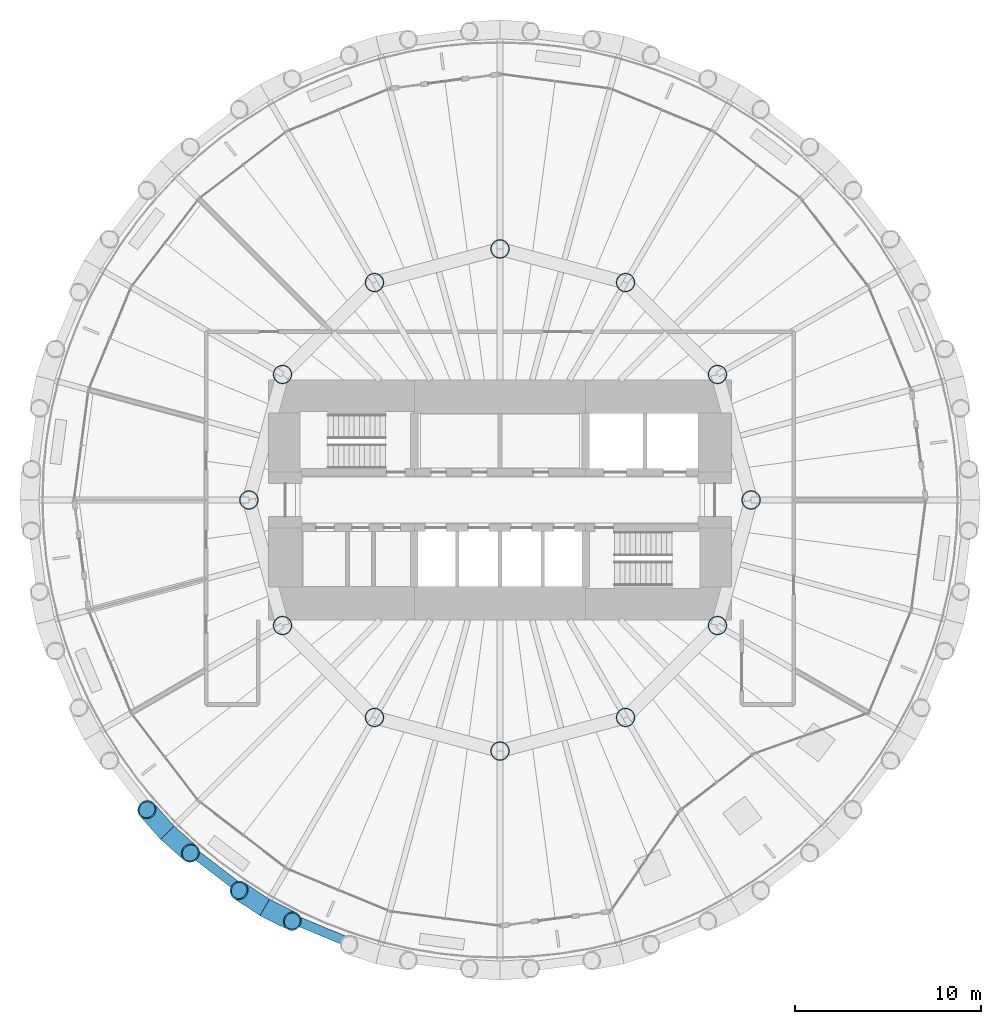
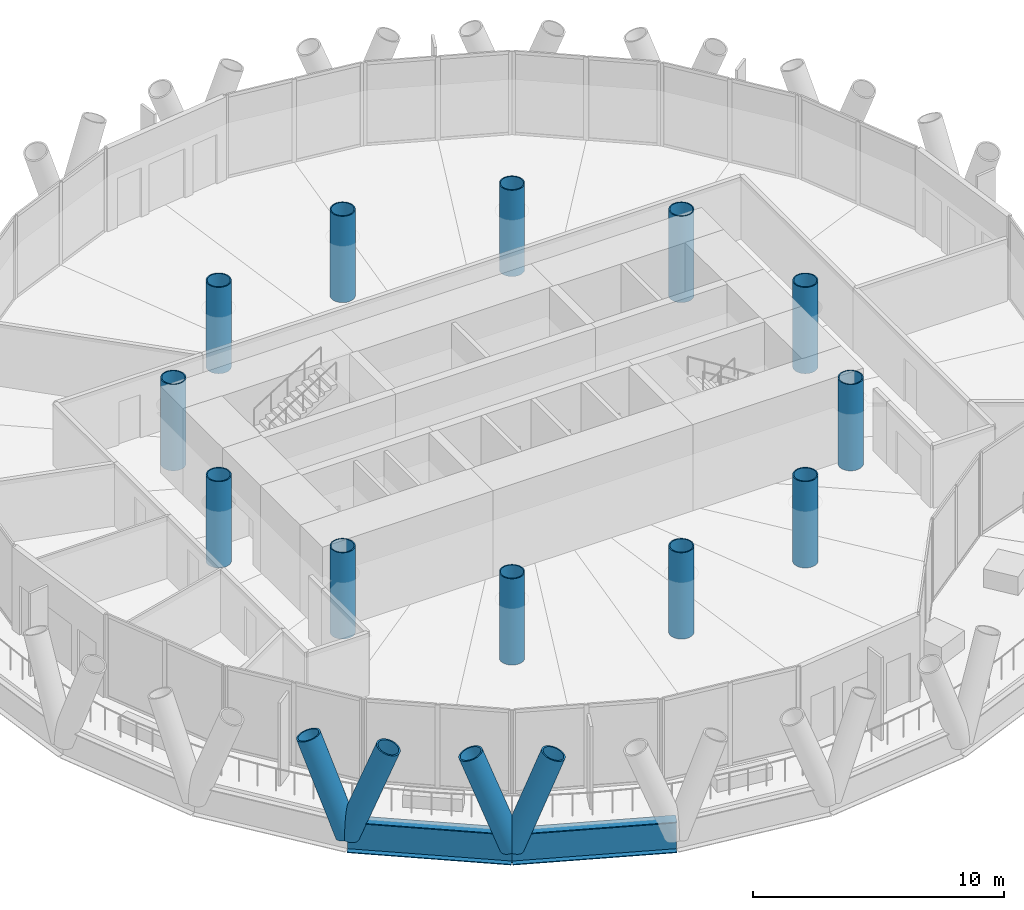
# One storey, part 1 of 15: 12 columns, 4 members, 2 beams.
"""IFC4 building model written with IfcOpenShell, lengths in metres."""

from ifc_helpers import new_model, si_unit, direction, frame, origin, origin_2d, place, context, subcontext, project, spatial, hollow_circle, i_section, extrude, material, material_profile, profile_set, type_object, element, save


model = new_model("IFC4")

# Units and contexts
model_context = context("Model", 3, precision=1e-05, world=origin(), true_north=direction((0.0, 1.0)))
body_context = subcontext(model_context, "Body", "Model", "MODEL_VIEW")
ifc_project = project(units=[si_unit("LENGTHUNIT", "METRE"), si_unit("AREAUNIT", "SQUARE_METRE"), si_unit("VOLUMEUNIT", "CUBIC_METRE"), si_unit("PLANEANGLEUNIT", "RADIAN"), si_unit("MASSUNIT", "GRAM", prefix="KILO")], contexts=[model_context])

# Site, building, storey
site_placement = place(None, origin())
site = spatial("IfcSite", under=ifc_project, at=site_placement, CompositionType="ELEMENT")
building_placement = place(site_placement, origin())
building = spatial("IfcBuilding", under=site, at=building_placement, Name="Qaws Media Tower", CompositionType="ELEMENT")
storey_placement = place(building_placement, frame((0.0, 0.0, 110.0)))
storey = spatial("IfcBuildingStorey", under=building, at=storey_placement, Name="L24", CompositionType="ELEMENT", Elevation=110.0)

# Columns
ifc_material_1 = material(Name="Steel S460", Category="steel")
ifc_material_profile_1 = material_profile(ifc_material_1, hollow_circle(Radius=0.508056640625, WallThickness=0.050048828125, at=origin_2d()), Name="CHS 1016x50")
ifc_profile_set_1 = profile_set([ifc_material_profile_1], Name="Steel S460")
column_type = type_object("IfcColumnType", Name="Inner column CHS 1016x50", PredefinedType="COLUMN", material=ifc_profile_set_1)
for number, where, z_axis, x_axis, name in (
    (1, (73.5, 50.0, 0.0), (0.0, 0.0, 1.0), (1.0, 0.0, 0.0), "C2 inner column I01 L24"),
    (2, (71.69140625, 56.75, 0.0), (0.0, 0.0, 1.0), (1.0, 0.0, 0.0), "C2 inner column I02 L24"),
    (3, (66.75, 61.69140625, 0.0), (0.0, 0.0, 1.0), (1.0, 0.0, 0.0), "C2 inner column I03 L24"),
    (4, (60.0, 63.5, 0.0), (0.0, 0.0, 1.0), (1.0, 0.0, 0.0), "C2 inner column I04 L24"),
    (5, (53.25, 61.69140625, 0.0), (0.0, 0.0, 1.0), (1.0, 0.0, 0.0), "C2 inner column I05 L24"),
    (6, (48.30859375, 56.75, 0.0), (0.0, 0.0, 1.0), (1.0, 0.0, 0.0), "C2 inner column I06 L24"),
    (7, (46.5, 50.0, 0.0), (0.0, 0.0, 1.0), (1.0, 0.0, 0.0), "C2 inner column I07 L24"),
    (8, (48.30859375, 43.25, 0.0), (0.0, 0.0, 1.0), (1.0, 0.0, 0.0), "C2 inner column I08 L24"),
    (9, (53.25, 38.30859375, 0.0), (0.0, 0.0, 1.0), (1.0, 0.0, 0.0), "C2 inner column I09 L24"),
    (10, (60.0, 36.5, 0.0), (0.0, 0.0, 1.0), (1.0, 0.0, 0.0), "C2 inner column I10 L24"),
    (11, (66.75, 38.30859375, 0.0), (0.0, 0.0, 1.0), (1.0, 0.0, 0.0), "C2 inner column I11 L24"),
    (12, (71.69140625, 43.25, 0.0), (0.0, 0.0, 1.0), (1.0, 0.0, 0.0), "C2 inner column I12 L24"),
):
    element("IfcColumn", number, at=place(storey_placement, frame(where, z_axis=z_axis, x_axis=x_axis)), inside=storey, type_object=column_type, Name=name, PredefinedType="COLUMN", context=body_context, shape_type="SweptSolid", body=[
        extrude(hollow_circle(Radius=0.508056640625, WallThickness=0.050048828125, at=origin_2d()), origin(), (0.0, 0.0, 1.0), 4.199951171875),
    ])

# Members
ifc_material_2 = material(Name="Steel S460", Category="steel")
ifc_material_profile_2 = material_profile(ifc_material_2, hollow_circle(Radius=0.508056640625, WallThickness=0.070068359375, at=origin_2d()), Name="CHS 1016x70")
ifc_profile_set_2 = profile_set([ifc_material_profile_2], Name="Steel S460")
member_type = type_object("IfcMemberType", Name="Diagrid member CHS 1016x70", PredefinedType="USERDEFINED", material=ifc_profile_set_2)
for number, where, z_axis, x_axis, name in (
    (13, (42.110107421875, 32.110107421875, -0.909912109375), (0.261703226457, -0.230617926796, 0.937190905367), (0.661143277259, 0.750259666339, 0.0), "DG3 diagrid L24 A16"),
    (14, (42.110107421875, 32.110107421875, -0.909912109375), (-0.230617926796, 0.261703226457, 0.937190905367), (-0.750259666339, -0.661143277259, 0.0), "DG3 diagrid L24 B16"),
    (15, (47.35009765625, 28.089599609375, -0.909912109375), (0.312449003566, -0.155066520795, 0.937192613233), (0.4445557978, 0.895751161117, 0.0), "DG3 diagrid L24 A17"),
    (16, (47.35009765625, 28.089599609375, -0.909912109375), (-0.290524249556, 0.193048088589, 0.937191600428), (-0.553439756598, -0.832889209809, 0.0), "DG3 diagrid L24 B17"),
):
    element("IfcMember", number, at=place(storey_placement, frame(where, z_axis=z_axis, x_axis=x_axis)), inside=storey, type_object=member_type, Name=name, ObjectType="DIAGRID", PredefinedType="USERDEFINED", context=body_context, shape_type="SweptSolid", body=[
        extrude(hollow_circle(Radius=0.508056640625, WallThickness=0.070068359375, at=origin_2d()), origin(), (0.0, 0.0, 1.0), 4.74365234375),
    ])

# Beams
ifc_material_3 = material(Name="Steel S460", Category="steel")
ifc_material_profile_3 = material_profile(ifc_material_3, i_section(OverallWidth=0.5, OverallDepth=1.5, WebThickness=0.02001953125, FlangeThickness=0.0400390625, at=origin_2d()), Name="PG 1500x500")
ifc_profile_set_3 = profile_set([ifc_material_profile_3], Name="Steel S460")
beam_type = type_object("IfcBeamType", Name="Edge ring beam PG 1500x500", PredefinedType="BEAM", material=ifc_profile_set_3)
beam_1_placement = place(storey_placement, frame((42.110107421875, 32.110107421875, -0.909912109375), z_axis=(0.793373676497, -0.608734925432, 0.0), x_axis=(0.608734925432, 0.793373676497, 0.0)))
element("IfcBeam", 17, at=beam_1_placement, inside=storey, type_object=beam_type, Name="RB4 edge ring beam L24-16", PredefinedType="BEAM", context=body_context, shape_type="SweptSolid", body=[
    extrude(i_section(OverallWidth=0.5, OverallDepth=1.5, WebThickness=0.02001953125, FlangeThickness=0.0400390625, at=origin_2d()), origin(), (0.0, 0.0, 1.0), 6.604736328125),
])
beam_2_placement = place(storey_placement, frame((47.35009765625, 28.089599609375, -0.909912109375), z_axis=(0.923872207905, -0.38270111505, 0.0), x_axis=(0.38270111505, 0.923872207905, 0.0)))
element("IfcBeam", 18, at=beam_2_placement, inside=storey, type_object=beam_type, Name="RB4 edge ring beam L24-17", PredefinedType="BEAM", context=body_context, shape_type="SweptSolid", body=[
    extrude(i_section(OverallWidth=0.5, OverallDepth=1.5, WebThickness=0.02001953125, FlangeThickness=0.0400390625, at=origin_2d()), origin(), (0.0, 0.0, 1.0), 6.6044921875),
])

save(model, "model.ifc")
